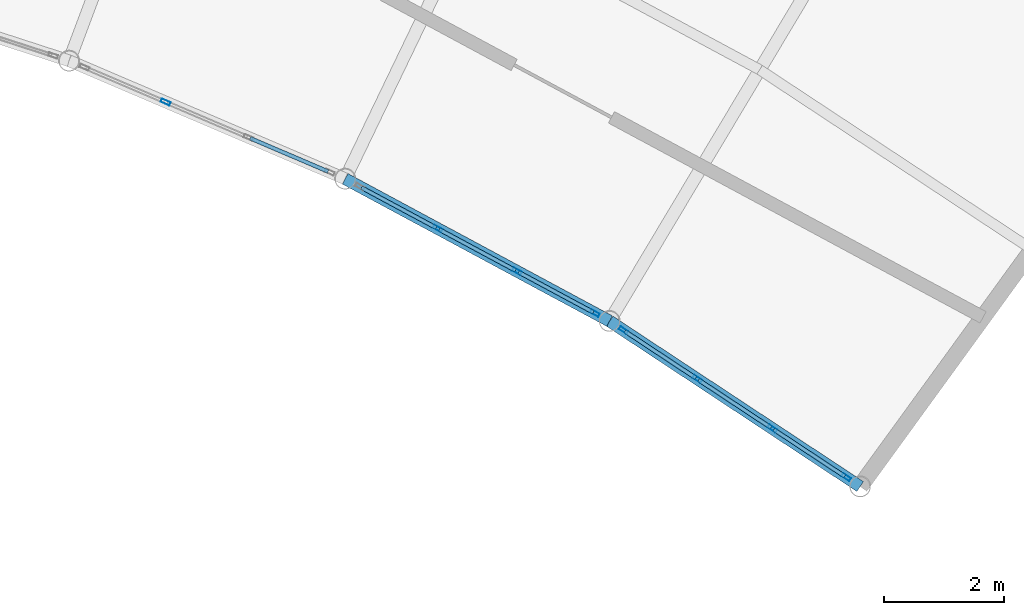
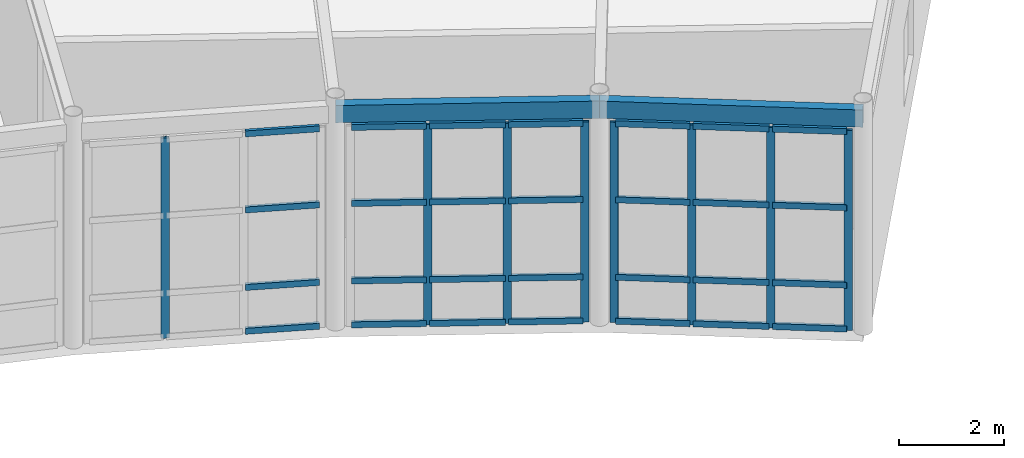
# One storey, part 50 of 87: 36 members, 2 beams, 3 elements without a shape of their own.
"""IFC4 building model written with IfcOpenShell, lengths in metres."""

from ifc_helpers import new_model, si_unit, direction, frame, origin, origin_2d, place, context, subcontext, project, spatial, hollow_rectangle, extrude, material, layer, layer_set, material_profile, profile_set, type_object, element, aggregate, save


model = new_model("IFC4")

# Units and contexts
model_context = context("Model", 3, precision=1e-05, world=origin(), true_north=direction((0.0, 1.0)))
body_context = subcontext(model_context, "Body", "Model", "MODEL_VIEW")
ifc_project = project(units=[si_unit("LENGTHUNIT", "METRE"), si_unit("AREAUNIT", "SQUARE_METRE"), si_unit("VOLUMEUNIT", "CUBIC_METRE"), si_unit("PLANEANGLEUNIT", "RADIAN"), si_unit("MASSUNIT", "GRAM", prefix="KILO")], contexts=[model_context])

# Site, building, storey
site_placement = place(None, origin())
site = spatial("IfcSite", under=ifc_project, at=site_placement, CompositionType="ELEMENT")
building_placement = place(site_placement, origin())
building = spatial("IfcBuilding", under=site, at=building_placement, Name="Selat Folded Stagehouse", CompositionType="ELEMENT")
storey_placement = place(building_placement, origin())
storey = spatial("IfcBuildingStorey", under=building, at=storey_placement, Name="L00", CompositionType="ELEMENT", Elevation=0.0)

# Curtain wall, member
ifc_material_1 = material(Name="Aluminium 6063-T6", Category="aluminium")
ifc_layer = layer(ifc_material_1, 0.18994140625)
ifc_layer_set = layer_set([ifc_layer], Name="Aluminium 6063-T6")
curtain_wall_type = type_object("IfcCurtainWallType", Name="CW-REH-ARC", PredefinedType="NOTDEFINED", material=ifc_layer_set)
curtain_wall_1_placement = place(storey_placement, origin())
curtain_wall_1 = element("IfcCurtainWall", 1, at=curtain_wall_1_placement, inside=storey, type_object=curtain_wall_type, Name="L00 curtain wall CW-REH-L00-11", PredefinedType="NOTDEFINED")
ifc_material_profile_1 = material_profile(ifc_material_1, hollow_rectangle(XDim=0.06005859375, YDim=0.159912109375, WallThickness=0.00390625, at=origin_2d()), Name="ALU 160x60x4.0")
ifc_profile_set_1 = profile_set([ifc_material_profile_1], Name="Aluminium 6063-T6")
member_type_1 = type_object("IfcMemberType", Name="CWM-MUL-160x60", PredefinedType="MULLION", material=ifc_profile_set_1)
member_1_placement = place(storey_placement, frame((113.69384765625, 89.738037109375, 0.0), z_axis=(0.0, 0.0, 1.0), x_axis=(-0.393012226483, -0.919533245639, 0.0)))
member_1 = element("IfcMember", 2, at=member_1_placement, type_object=member_type_1, Name="CW-06 mullion 3", PredefinedType="MULLION", context=body_context, shape_type="SweptSolid", body=[
    extrude(hollow_rectangle(XDim=0.06005859375, YDim=0.159912109375, WallThickness=0.00390625, at=origin_2d()), origin(), (0.0, 0.0, 1.0), 4.64990234375),
])

# Curtain wall, members
curtain_wall_2_placement = place(storey_placement, origin())
curtain_wall_2 = element("IfcCurtainWall", 3, at=curtain_wall_2_placement, inside=storey, type_object=curtain_wall_type, Name="L00 curtain wall CW-REH-L00-12", PredefinedType="NOTDEFINED")
member_2_placement = place(storey_placement, frame((120.8759765625, 86.205810546875, 0.0), z_axis=(0.0, 0.0, 1.0), x_axis=(-0.473858636259, -0.880600927119, 0.0)))
member_2 = element("IfcMember", 4, at=member_2_placement, type_object=member_type_1, Name="CW-06 mullion 1", PredefinedType="MULLION", context=body_context, shape_type="SweptSolid", body=[
    extrude(hollow_rectangle(XDim=0.06005859375, YDim=0.159912109375, WallThickness=0.00390625, at=origin_2d()), origin(), (0.0, 0.0, 1.0), 4.64990234375),
])
member_3_placement = place(storey_placement, frame((119.573974609375, 86.90625, 0.0), z_axis=(0.0, 0.0, 1.0), x_axis=(-0.473858636259, -0.880600927119, 0.0)))
member_3 = element("IfcMember", 5, at=member_3_placement, type_object=member_type_1, Name="CW-06 mullion 2", PredefinedType="MULLION", context=body_context, shape_type="SweptSolid", body=[
    extrude(hollow_rectangle(XDim=0.06005859375, YDim=0.159912109375, WallThickness=0.00390625, at=origin_2d()), origin(), (0.0, 0.0, 1.0), 4.64990234375),
])
member_4_placement = place(storey_placement, frame((118.245849609375, 87.62109375, 0.0), z_axis=(0.0, 0.0, 1.0), x_axis=(-0.473858636259, -0.880600927119, 0.0)))
member_4 = element("IfcMember", 6, at=member_4_placement, type_object=member_type_1, Name="CW-06 mullion 3", PredefinedType="MULLION", context=body_context, shape_type="SweptSolid", body=[
    extrude(hollow_rectangle(XDim=0.06005859375, YDim=0.159912109375, WallThickness=0.00390625, at=origin_2d()), origin(), (0.0, 0.0, 1.0), 4.64990234375),
])

curtain_wall_3_placement = place(storey_placement, origin())
curtain_wall_3 = element("IfcCurtainWall", 7, at=curtain_wall_3_placement, inside=storey, type_object=curtain_wall_type, Name="L00 curtain wall CW-REH-L00-13", PredefinedType="NOTDEFINED")
member_5_placement = place(storey_placement, frame((125.082275390625, 83.459228515625, 0.0), z_axis=(0.0, 0.0, 1.0), x_axis=(-0.550884695619, -0.834581363399, 0.0)))
member_5 = element("IfcMember", 8, at=member_5_placement, type_object=member_type_1, Name="CW-06 mullion 1", PredefinedType="MULLION", context=body_context, shape_type="SweptSolid", body=[
    extrude(hollow_rectangle(XDim=0.06005859375, YDim=0.159912109375, WallThickness=0.00390625, at=origin_2d()), origin(), (0.0, 0.0, 1.0), 4.64990234375),
])
member_6_placement = place(storey_placement, frame((123.8486328125, 84.273681640625, 0.0), z_axis=(0.0, 0.0, 1.0), x_axis=(-0.550884695619, -0.834581363399, 0.0)))
member_6 = element("IfcMember", 9, at=member_6_placement, type_object=member_type_1, Name="CW-06 mullion 2", PredefinedType="MULLION", context=body_context, shape_type="SweptSolid", body=[
    extrude(hollow_rectangle(XDim=0.06005859375, YDim=0.159912109375, WallThickness=0.00390625, at=origin_2d()), origin(), (0.0, 0.0, 1.0), 4.64990234375),
])
member_7_placement = place(storey_placement, frame((122.58984375, 85.1044921875, 0.0), z_axis=(0.0, 0.0, 1.0), x_axis=(-0.550884695619, -0.834581363399, 0.0)))
member_7 = element("IfcMember", 10, at=member_7_placement, type_object=member_type_1, Name="CW-06 mullion 3", PredefinedType="MULLION", context=body_context, shape_type="SweptSolid", body=[
    extrude(hollow_rectangle(XDim=0.06005859375, YDim=0.159912109375, WallThickness=0.00390625, at=origin_2d()), origin(), (0.0, 0.0, 1.0), 4.64990234375),
])
member_8_placement = place(storey_placement, frame((121.35595703125, 85.9189453125, 0.0), z_axis=(0.0, 0.0, 1.0), x_axis=(-0.550884695619, -0.834581363399, 0.0)))
member_8 = element("IfcMember", 11, at=member_8_placement, type_object=member_type_1, Name="CW-06 mullion 4", PredefinedType="MULLION", context=body_context, shape_type="SweptSolid", body=[
    extrude(hollow_rectangle(XDim=0.06005859375, YDim=0.159912109375, WallThickness=0.00390625, at=origin_2d()), origin(), (0.0, 0.0, 1.0), 4.64990234375),
])

# Member
ifc_material_profile_2 = material_profile(ifc_material_1, hollow_rectangle(XDim=0.06494140625, YDim=0.139892578125, WallThickness=0.00390625, at=origin_2d()), Name="ALU 140x65x4.0")
ifc_profile_set_2 = profile_set([ifc_material_profile_2], Name="Aluminium 6063-T6")
member_type_2 = type_object("IfcMemberType", Name="CWM-TRN-140x65", PredefinedType="USERDEFINED", material=ifc_profile_set_2)
member_9_placement = place(storey_placement, frame((116.412353515625, 88.576171875, 0.032470703125), z_axis=(-0.919518623397, 0.393046436475, 0.0), x_axis=(-0.393046436475, -0.919518623397, 0.0)))
member_9 = element("IfcMember", 12, at=member_9_placement, type_object=member_type_2, Name="CW-06 transom 1.1", ObjectType="TRANSOM", PredefinedType="USERDEFINED", context=body_context, shape_type="SweptSolid", body=[
    extrude(hollow_rectangle(XDim=0.06494140625, YDim=0.139892578125, WallThickness=0.00390625, at=origin_2d()), origin(), (0.0, 0.0, 1.0), 1.41796875),
])

member_10_placement = place(storey_placement, frame((116.412353515625, 88.576171875, 1.050048828125), z_axis=(-0.919518623397, 0.393046436475, 0.0), x_axis=(-0.393046436475, -0.919518623397, 0.0)))
member_10 = element("IfcMember", 13, at=member_10_placement, type_object=member_type_2, Name="CW-06 transom 1.2", ObjectType="TRANSOM", PredefinedType="USERDEFINED", context=body_context, shape_type="SweptSolid", body=[
    extrude(hollow_rectangle(XDim=0.06494140625, YDim=0.139892578125, WallThickness=0.00390625, at=origin_2d()), origin(), (0.0, 0.0, 1.0), 1.41796875),
])

member_11_placement = place(storey_placement, frame((116.412353515625, 88.576171875, 2.85009765625), z_axis=(-0.919518623397, 0.393046436475, 0.0), x_axis=(-0.393046436475, -0.919518623397, 0.0)))
member_11 = element("IfcMember", 14, at=member_11_placement, type_object=member_type_2, Name="CW-06 transom 1.3", ObjectType="TRANSOM", PredefinedType="USERDEFINED", context=body_context, shape_type="SweptSolid", body=[
    extrude(hollow_rectangle(XDim=0.06494140625, YDim=0.139892578125, WallThickness=0.00390625, at=origin_2d()), origin(), (0.0, 0.0, 1.0), 1.41796875),
])

member_12_placement = place(storey_placement, frame((116.412353515625, 88.576171875, 4.617431640625), z_axis=(-0.919518623397, 0.393046436475, 0.0), x_axis=(-0.393046436475, -0.919518623397, 0.0)))
member_12 = element("IfcMember", 15, at=member_12_placement, type_object=member_type_2, Name="CW-06 transom 1.4", ObjectType="TRANSOM", PredefinedType="USERDEFINED", context=body_context, shape_type="SweptSolid", body=[
    extrude(hollow_rectangle(XDim=0.06494140625, YDim=0.139892578125, WallThickness=0.00390625, at=origin_2d()), origin(), (0.0, 0.0, 1.0), 1.41796875),
])

aggregate(curtain_wall_1, [member_1, member_9, member_10, member_11, member_12])

member_13_placement = place(storey_placement, frame((120.849365234375, 86.219970703125, 0.032470703125), z_axis=(-0.880559529871, 0.473935559283, 0.0), x_axis=(-0.473935559283, -0.880559529871, 0.0)))
member_13 = element("IfcMember", 16, at=member_13_placement, type_object=member_type_2, Name="CW-06 transom 1.1", ObjectType="TRANSOM", PredefinedType="USERDEFINED", context=body_context, shape_type="SweptSolid", body=[
    extrude(hollow_rectangle(XDim=0.06494140625, YDim=0.139892578125, WallThickness=0.00390625, at=origin_2d()), origin(), (0.0, 0.0, 1.0), 1.418212890625),
])

member_14_placement = place(storey_placement, frame((120.849365234375, 86.219970703125, 1.050048828125), z_axis=(-0.880559529871, 0.473935559283, 0.0), x_axis=(-0.473935559283, -0.880559529871, 0.0)))
member_14 = element("IfcMember", 17, at=member_14_placement, type_object=member_type_2, Name="CW-06 transom 1.2", ObjectType="TRANSOM", PredefinedType="USERDEFINED", context=body_context, shape_type="SweptSolid", body=[
    extrude(hollow_rectangle(XDim=0.06494140625, YDim=0.139892578125, WallThickness=0.00390625, at=origin_2d()), origin(), (0.0, 0.0, 1.0), 1.418212890625),
])

member_15_placement = place(storey_placement, frame((120.849365234375, 86.219970703125, 2.85009765625), z_axis=(-0.880559529871, 0.473935559283, 0.0), x_axis=(-0.473935559283, -0.880559529871, 0.0)))
member_15 = element("IfcMember", 18, at=member_15_placement, type_object=member_type_2, Name="CW-06 transom 1.3", ObjectType="TRANSOM", PredefinedType="USERDEFINED", context=body_context, shape_type="SweptSolid", body=[
    extrude(hollow_rectangle(XDim=0.06494140625, YDim=0.139892578125, WallThickness=0.00390625, at=origin_2d()), origin(), (0.0, 0.0, 1.0), 1.418212890625),
])

member_16_placement = place(storey_placement, frame((120.849365234375, 86.219970703125, 4.617431640625), z_axis=(-0.880559529871, 0.473935559283, 0.0), x_axis=(-0.473935559283, -0.880559529871, 0.0)))
member_16 = element("IfcMember", 19, at=member_16_placement, type_object=member_type_2, Name="CW-06 transom 1.4", ObjectType="TRANSOM", PredefinedType="USERDEFINED", context=body_context, shape_type="SweptSolid", body=[
    extrude(hollow_rectangle(XDim=0.06494140625, YDim=0.139892578125, WallThickness=0.00390625, at=origin_2d()), origin(), (0.0, 0.0, 1.0), 1.418212890625),
])

member_17_placement = place(storey_placement, frame((119.547607421875, 86.920654296875, 0.032470703125), z_axis=(-0.880606383505, 0.473848496178, 0.0), x_axis=(-0.473848496178, -0.880606383505, 0.0)))
member_17 = element("IfcMember", 20, at=member_17_placement, type_object=member_type_2, Name="CW-06 transom 2.1", ObjectType="TRANSOM", PredefinedType="USERDEFINED", context=body_context, shape_type="SweptSolid", body=[
    extrude(hollow_rectangle(XDim=0.06494140625, YDim=0.139892578125, WallThickness=0.00390625, at=origin_2d()), origin(), (0.0, 0.0, 1.0), 1.4482421875),
])

member_18_placement = place(storey_placement, frame((119.547607421875, 86.920654296875, 1.050048828125), z_axis=(-0.880606383505, 0.473848496178, 0.0), x_axis=(-0.473848496178, -0.880606383505, 0.0)))
member_18 = element("IfcMember", 21, at=member_18_placement, type_object=member_type_2, Name="CW-06 transom 2.2", ObjectType="TRANSOM", PredefinedType="USERDEFINED", context=body_context, shape_type="SweptSolid", body=[
    extrude(hollow_rectangle(XDim=0.06494140625, YDim=0.139892578125, WallThickness=0.00390625, at=origin_2d()), origin(), (0.0, 0.0, 1.0), 1.4482421875),
])

member_19_placement = place(storey_placement, frame((119.547607421875, 86.920654296875, 2.85009765625), z_axis=(-0.880606383505, 0.473848496178, 0.0), x_axis=(-0.473848496178, -0.880606383505, 0.0)))
member_19 = element("IfcMember", 22, at=member_19_placement, type_object=member_type_2, Name="CW-06 transom 2.3", ObjectType="TRANSOM", PredefinedType="USERDEFINED", context=body_context, shape_type="SweptSolid", body=[
    extrude(hollow_rectangle(XDim=0.06494140625, YDim=0.139892578125, WallThickness=0.00390625, at=origin_2d()), origin(), (0.0, 0.0, 1.0), 1.4482421875),
])

member_20_placement = place(storey_placement, frame((119.547607421875, 86.920654296875, 4.617431640625), z_axis=(-0.880606383505, 0.473848496178, 0.0), x_axis=(-0.473848496178, -0.880606383505, 0.0)))
member_20 = element("IfcMember", 23, at=member_20_placement, type_object=member_type_2, Name="CW-06 transom 2.4", ObjectType="TRANSOM", PredefinedType="USERDEFINED", context=body_context, shape_type="SweptSolid", body=[
    extrude(hollow_rectangle(XDim=0.06494140625, YDim=0.139892578125, WallThickness=0.00390625, at=origin_2d()), origin(), (0.0, 0.0, 1.0), 1.4482421875),
])

member_21_placement = place(storey_placement, frame((118.219482421875, 87.63525390625, 0.032470703125), z_axis=(-0.880598189077, 0.473863724497, 0.0), x_axis=(-0.473863724497, -0.880598189077, 0.0)))
member_21 = element("IfcMember", 24, at=member_21_placement, type_object=member_type_2, Name="CW-06 transom 3.1", ObjectType="TRANSOM", PredefinedType="USERDEFINED", context=body_context, shape_type="SweptSolid", body=[
    extrude(hollow_rectangle(XDim=0.06494140625, YDim=0.139892578125, WallThickness=0.00390625, at=origin_2d()), origin(), (0.0, 0.0, 1.0), 1.41845703125),
])

member_22_placement = place(storey_placement, frame((118.219482421875, 87.63525390625, 1.050048828125), z_axis=(-0.880598189077, 0.473863724497, 0.0), x_axis=(-0.473863724497, -0.880598189077, 0.0)))
member_22 = element("IfcMember", 25, at=member_22_placement, type_object=member_type_2, Name="CW-06 transom 3.2", ObjectType="TRANSOM", PredefinedType="USERDEFINED", context=body_context, shape_type="SweptSolid", body=[
    extrude(hollow_rectangle(XDim=0.06494140625, YDim=0.139892578125, WallThickness=0.00390625, at=origin_2d()), origin(), (0.0, 0.0, 1.0), 1.41845703125),
])

member_23_placement = place(storey_placement, frame((118.219482421875, 87.63525390625, 2.85009765625), z_axis=(-0.880598189077, 0.473863724497, 0.0), x_axis=(-0.473863724497, -0.880598189077, 0.0)))
member_23 = element("IfcMember", 26, at=member_23_placement, type_object=member_type_2, Name="CW-06 transom 3.3", ObjectType="TRANSOM", PredefinedType="USERDEFINED", context=body_context, shape_type="SweptSolid", body=[
    extrude(hollow_rectangle(XDim=0.06494140625, YDim=0.139892578125, WallThickness=0.00390625, at=origin_2d()), origin(), (0.0, 0.0, 1.0), 1.41845703125),
])

member_24_placement = place(storey_placement, frame((118.219482421875, 87.63525390625, 4.617431640625), z_axis=(-0.880598189077, 0.473863724497, 0.0), x_axis=(-0.473863724497, -0.880598189077, 0.0)))
member_24 = element("IfcMember", 27, at=member_24_placement, type_object=member_type_2, Name="CW-06 transom 3.4", ObjectType="TRANSOM", PredefinedType="USERDEFINED", context=body_context, shape_type="SweptSolid", body=[
    extrude(hollow_rectangle(XDim=0.06494140625, YDim=0.139892578125, WallThickness=0.00390625, at=origin_2d()), origin(), (0.0, 0.0, 1.0), 1.41845703125),
])

aggregate(curtain_wall_2, [member_2, member_3, member_4, member_13, member_14, member_15, member_16, member_17, member_18, member_19, member_20, member_21, member_22, member_23, member_24])

member_25_placement = place(storey_placement, frame((125.057373046875, 83.475830078125, 0.032470703125), z_axis=(-0.834636310659, 0.550801442382, 0.0), x_axis=(-0.550801442382, -0.834636310659, 0.0)))
member_25 = element("IfcMember", 28, at=member_25_placement, type_object=member_type_2, Name="CW-06 transom 1.1", ObjectType="TRANSOM", PredefinedType="USERDEFINED", context=body_context, shape_type="SweptSolid", body=[
    extrude(hollow_rectangle(XDim=0.06494140625, YDim=0.139892578125, WallThickness=0.00390625, at=origin_2d()), origin(), (0.0, 0.0, 1.0), 1.41845703125),
])

member_26_placement = place(storey_placement, frame((125.057373046875, 83.475830078125, 1.050048828125), z_axis=(-0.834636310659, 0.550801442382, 0.0), x_axis=(-0.550801442382, -0.834636310659, 0.0)))
member_26 = element("IfcMember", 29, at=member_26_placement, type_object=member_type_2, Name="CW-06 transom 1.2", ObjectType="TRANSOM", PredefinedType="USERDEFINED", context=body_context, shape_type="SweptSolid", body=[
    extrude(hollow_rectangle(XDim=0.06494140625, YDim=0.139892578125, WallThickness=0.00390625, at=origin_2d()), origin(), (0.0, 0.0, 1.0), 1.41845703125),
])

member_27_placement = place(storey_placement, frame((125.057373046875, 83.475830078125, 2.85009765625), z_axis=(-0.834636310659, 0.550801442382, 0.0), x_axis=(-0.550801442382, -0.834636310659, 0.0)))
member_27 = element("IfcMember", 30, at=member_27_placement, type_object=member_type_2, Name="CW-06 transom 1.3", ObjectType="TRANSOM", PredefinedType="USERDEFINED", context=body_context, shape_type="SweptSolid", body=[
    extrude(hollow_rectangle(XDim=0.06494140625, YDim=0.139892578125, WallThickness=0.00390625, at=origin_2d()), origin(), (0.0, 0.0, 1.0), 1.41845703125),
])

member_28_placement = place(storey_placement, frame((125.057373046875, 83.475830078125, 4.617431640625), z_axis=(-0.834636310659, 0.550801442382, 0.0), x_axis=(-0.550801442382, -0.834636310659, 0.0)))
member_28 = element("IfcMember", 31, at=member_28_placement, type_object=member_type_2, Name="CW-06 transom 1.4", ObjectType="TRANSOM", PredefinedType="USERDEFINED", context=body_context, shape_type="SweptSolid", body=[
    extrude(hollow_rectangle(XDim=0.06494140625, YDim=0.139892578125, WallThickness=0.00390625, at=origin_2d()), origin(), (0.0, 0.0, 1.0), 1.41845703125),
])

member_29_placement = place(storey_placement, frame((123.823486328125, 84.2900390625, 0.032470703125), z_axis=(-0.834583056491, 0.550882130603, 0.0), x_axis=(-0.550882130603, -0.834583056491, 0.0)))
member_29 = element("IfcMember", 32, at=member_29_placement, type_object=member_type_2, Name="CW-06 transom 2.1", ObjectType="TRANSOM", PredefinedType="USERDEFINED", context=body_context, shape_type="SweptSolid", body=[
    extrude(hollow_rectangle(XDim=0.06494140625, YDim=0.139892578125, WallThickness=0.00390625, at=origin_2d()), origin(), (0.0, 0.0, 1.0), 1.4482421875),
])

member_30_placement = place(storey_placement, frame((123.823486328125, 84.2900390625, 1.050048828125), z_axis=(-0.834583056491, 0.550882130603, 0.0), x_axis=(-0.550882130603, -0.834583056491, 0.0)))
member_30 = element("IfcMember", 33, at=member_30_placement, type_object=member_type_2, Name="CW-06 transom 2.2", ObjectType="TRANSOM", PredefinedType="USERDEFINED", context=body_context, shape_type="SweptSolid", body=[
    extrude(hollow_rectangle(XDim=0.06494140625, YDim=0.139892578125, WallThickness=0.00390625, at=origin_2d()), origin(), (0.0, 0.0, 1.0), 1.4482421875),
])

member_31_placement = place(storey_placement, frame((123.823486328125, 84.2900390625, 2.85009765625), z_axis=(-0.834583056491, 0.550882130603, 0.0), x_axis=(-0.550882130603, -0.834583056491, 0.0)))
member_31 = element("IfcMember", 34, at=member_31_placement, type_object=member_type_2, Name="CW-06 transom 2.3", ObjectType="TRANSOM", PredefinedType="USERDEFINED", context=body_context, shape_type="SweptSolid", body=[
    extrude(hollow_rectangle(XDim=0.06494140625, YDim=0.139892578125, WallThickness=0.00390625, at=origin_2d()), origin(), (0.0, 0.0, 1.0), 1.4482421875),
])

member_32_placement = place(storey_placement, frame((123.823486328125, 84.2900390625, 4.617431640625), z_axis=(-0.834583056491, 0.550882130603, 0.0), x_axis=(-0.550882130603, -0.834583056491, 0.0)))
member_32 = element("IfcMember", 35, at=member_32_placement, type_object=member_type_2, Name="CW-06 transom 2.4", ObjectType="TRANSOM", PredefinedType="USERDEFINED", context=body_context, shape_type="SweptSolid", body=[
    extrude(hollow_rectangle(XDim=0.06494140625, YDim=0.139892578125, WallThickness=0.00390625, at=origin_2d()), origin(), (0.0, 0.0, 1.0), 1.4482421875),
])

member_33_placement = place(storey_placement, frame((122.564697265625, 85.12109375, 0.032470703125), z_axis=(-0.834584079601, 0.550880580595, 0.0), x_axis=(-0.550880580595, -0.834584079601, 0.0)))
member_33 = element("IfcMember", 36, at=member_33_placement, type_object=member_type_2, Name="CW-06 transom 3.1", ObjectType="TRANSOM", PredefinedType="USERDEFINED", context=body_context, shape_type="SweptSolid", body=[
    extrude(hollow_rectangle(XDim=0.06494140625, YDim=0.139892578125, WallThickness=0.00390625, at=origin_2d()), origin(), (0.0, 0.0, 1.0), 1.418212890625),
])

member_34_placement = place(storey_placement, frame((122.564697265625, 85.12109375, 1.050048828125), z_axis=(-0.834584079601, 0.550880580595, 0.0), x_axis=(-0.550880580595, -0.834584079601, 0.0)))
member_34 = element("IfcMember", 37, at=member_34_placement, type_object=member_type_2, Name="CW-06 transom 3.2", ObjectType="TRANSOM", PredefinedType="USERDEFINED", context=body_context, shape_type="SweptSolid", body=[
    extrude(hollow_rectangle(XDim=0.06494140625, YDim=0.139892578125, WallThickness=0.00390625, at=origin_2d()), origin(), (0.0, 0.0, 1.0), 1.418212890625),
])

member_35_placement = place(storey_placement, frame((122.564697265625, 85.12109375, 2.85009765625), z_axis=(-0.834584079601, 0.550880580595, 0.0), x_axis=(-0.550880580595, -0.834584079601, 0.0)))
member_35 = element("IfcMember", 38, at=member_35_placement, type_object=member_type_2, Name="CW-06 transom 3.3", ObjectType="TRANSOM", PredefinedType="USERDEFINED", context=body_context, shape_type="SweptSolid", body=[
    extrude(hollow_rectangle(XDim=0.06494140625, YDim=0.139892578125, WallThickness=0.00390625, at=origin_2d()), origin(), (0.0, 0.0, 1.0), 1.418212890625),
])

member_36_placement = place(storey_placement, frame((122.564697265625, 85.12109375, 4.617431640625), z_axis=(-0.834584079601, 0.550880580595, 0.0), x_axis=(-0.550880580595, -0.834584079601, 0.0)))
member_36 = element("IfcMember", 39, at=member_36_placement, type_object=member_type_2, Name="CW-06 transom 3.4", ObjectType="TRANSOM", PredefinedType="USERDEFINED", context=body_context, shape_type="SweptSolid", body=[
    extrude(hollow_rectangle(XDim=0.06494140625, YDim=0.139892578125, WallThickness=0.00390625, at=origin_2d()), origin(), (0.0, 0.0, 1.0), 1.418212890625),
])

aggregate(curtain_wall_3, [member_5, member_6, member_7, member_8, member_25, member_26, member_27, member_28, member_29, member_30, member_31, member_32, member_33, member_34, member_35, member_36])

# Beams
ifc_material_2 = material(Name="Steel S355", Category="steel")
ifc_material_profile_3 = material_profile(ifc_material_2, hollow_rectangle(XDim=0.199951171875, YDim=0.39990234375, WallThickness=0.012451171875, at=origin_2d()), Name="RHS 400x200x12.5")
ifc_profile_set_3 = profile_set([ifc_material_profile_3], Name="Steel S355")
beam_type = type_object("IfcBeamType", Name="SPD-EXT-400x200", PredefinedType="SPANDREL", material=ifc_profile_set_3)
for number, where, z_axis, x_axis, name in (
    (40, (116.697509765625, 88.454345703125, 4.97998046875), (0.880574045979, -0.473908587755, 0.0), (0.473908587755, 0.880574045979, 0.0), "L00 inner curved rehearsal spandrel 13"),
    (41, (121.122314453125, 86.072998046875, 4.97998046875), (0.834583047468, -0.550882144274, 0.0), (0.550882144274, 0.834583047468, 0.0), "L00 inner curved rehearsal spandrel 14"),
):
    element("IfcBeam", number, at=place(storey_placement, frame(where, z_axis=z_axis, x_axis=x_axis)), inside=storey, type_object=beam_type, Name=name, PredefinedType="SPANDREL", context=body_context, shape_type="SweptSolid", body=[
        extrude(hollow_rectangle(XDim=0.199951171875, YDim=0.39990234375, WallThickness=0.012451171875, at=origin_2d()), origin(), (0.0, 0.0, 1.0), 5.02490234375),
    ])

save(model, "model.ifc")
